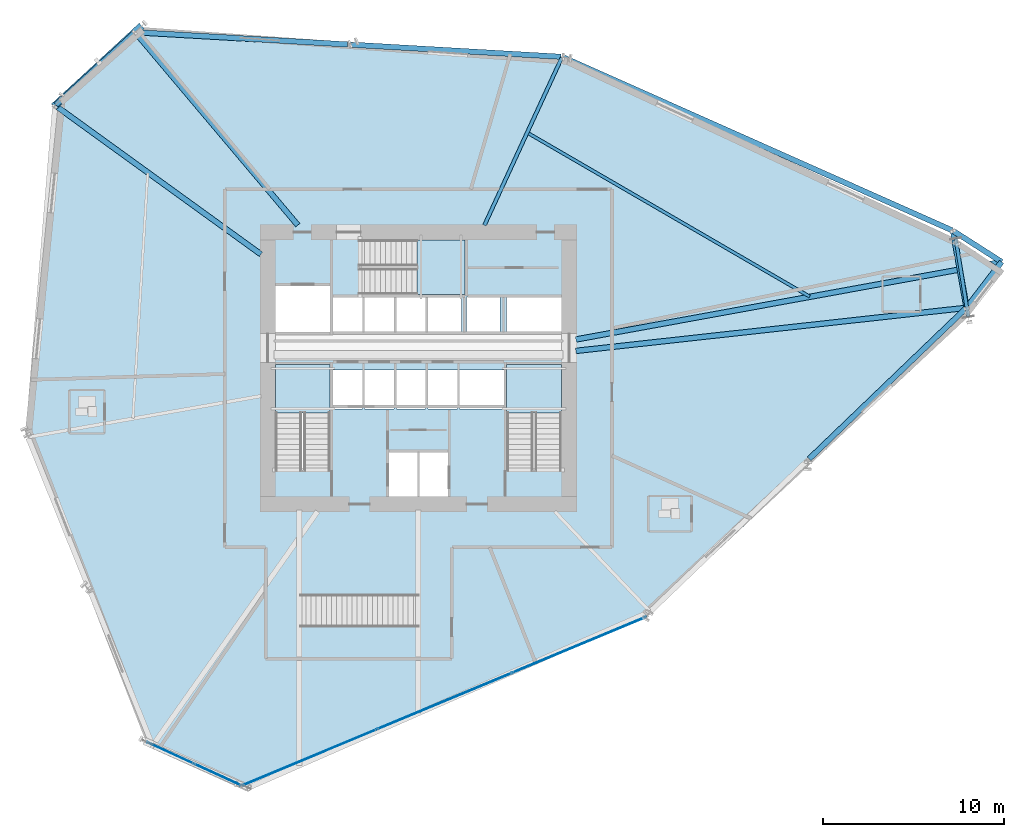
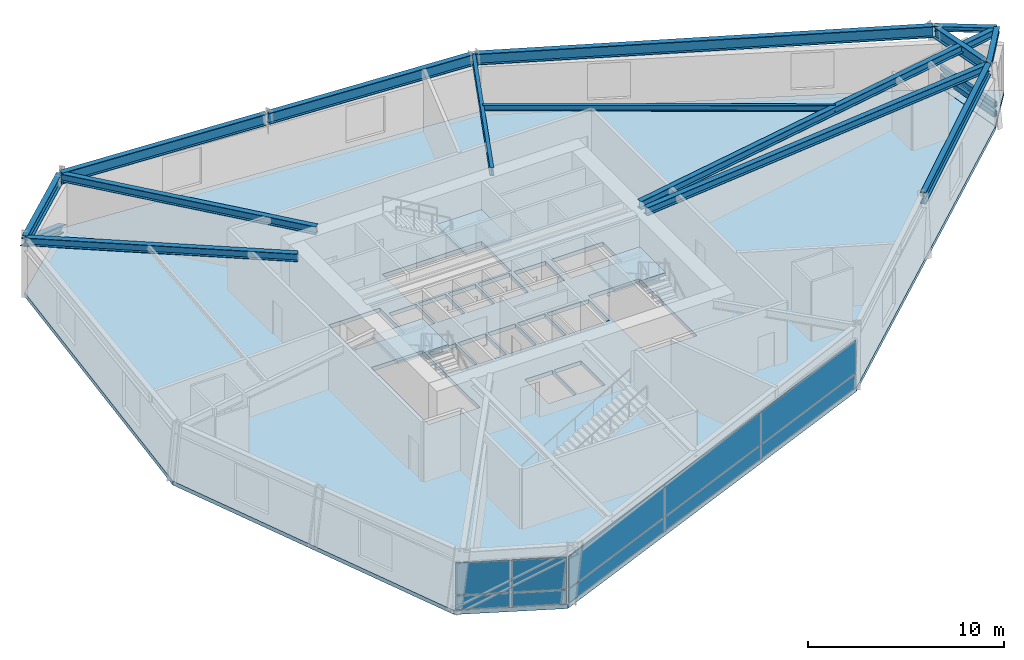
# One storey, part 9 of 19: 14 beams, 10 plates, 5 slabs, 3 members, 5 elements without a shape of their own.
"""IFC4 building model written with IfcOpenShell, lengths in metres."""

from ifc_helpers import new_model, si_unit, direction, frame, origin, origin_2d, place, context, subcontext, project, spatial, polyline, rectangle, hollow_rectangle, i_section, outline, extrude, source, transform, mapped, material, layer, layer_set, material_profile, profile_set, type_object, element, aggregate, save


model = new_model("IFC4")

# Units and contexts
model_context = context("Model", 3, precision=1e-05, world=origin(), true_north=direction((0.0, 1.0)))
body_context = subcontext(model_context, "Body", "Model", "MODEL_VIEW")
ifc_project = project(units=[si_unit("LENGTHUNIT", "METRE"), si_unit("AREAUNIT", "SQUARE_METRE"), si_unit("VOLUMEUNIT", "CUBIC_METRE"), si_unit("PLANEANGLEUNIT", "RADIAN"), si_unit("MASSUNIT", "GRAM", prefix="KILO")], contexts=[model_context])

# Site, building, storey
site_placement = place(None, origin())
site = spatial("IfcSite", under=ifc_project, at=site_placement, CompositionType="ELEMENT")
building_placement = place(site_placement, origin())
building = spatial("IfcBuilding", under=site, at=building_placement, Name="Olszyna Solenne Hotel", CompositionType="ELEMENT")
storey_placement = place(building_placement, frame((0.0, 0.0, 71.89990234375)))
storey = spatial("IfcBuildingStorey", under=building, at=storey_placement, Name="L18", CompositionType="ELEMENT", Elevation=71.89990234375)

# Beams
ifc_material_1 = material(Name="Steel S355J2", Category="steel")
ifc_material_profile_1 = material_profile(ifc_material_1, i_section(OverallWidth=0.300048828125, OverallDepth=0.699951171875, WebThickness=0.01708984375, FlangeThickness=0.031982421875, at=origin_2d()), Name="HEB 700", Category="load-bearing")
ifc_profile_set_1 = profile_set([ifc_material_profile_1], Name="Steel S355J2")
beam_type_1 = type_object("IfcBeamType", Name="BM-S1", PredefinedType="BEAM", material=ifc_profile_set_1)
shared_shape_1 = source(origin(), body_context, "Body", "SweptSolid", [
    extrude(i_section(OverallWidth=0.300048828125, OverallDepth=0.699951171875, WebThickness=0.01708984375, FlangeThickness=0.031982421875, at=origin_2d()), origin(), (0.0, 0.0, 1.0), 4.204833984375),
])
beam_1_placement = place(storey_placement, frame((68.284912109375, 30.001953125, 3.400146484375), z_axis=(-0.17453052662, 0.984651763456, 0.0), x_axis=(-0.984651763456, -0.17453052662, 0.0)))
element("IfcBeam", 1, at=beam_1_placement, inside=storey, type_object=beam_type_1, Name="Perimeter spandrel beam BM-S1 B-L18-0550", PredefinedType="BEAM", context=body_context, shape_type="MappedRepresentation", body=[
    mapped(shared_shape_1, transform((0.0, 0.0, 0.0), x_axis=(1.0, 0.0, 0.0), y_axis=(0.0, 1.0, 0.0), z_axis=(0.0, 0.0, 1.0), scale=1.0)),
])
shared_shape_2 = source(origin(), body_context, "Body", "SweptSolid", [
    extrude(i_section(OverallWidth=0.300048828125, OverallDepth=0.699951171875, WebThickness=0.01708984375, FlangeThickness=0.031982421875, at=origin_2d()), origin(), (0.0, 0.0, 1.0), 23.519287109375),
])
beam_2_placement = place(storey_placement, frame((67.485595703125, 34.225830078125, 3.400146484375), z_axis=(-0.913610677784, 0.40659012462, 0.0), x_axis=(-0.40659012462, -0.913610677784, 0.0)))
element("IfcBeam", 2, at=beam_2_placement, inside=storey, type_object=beam_type_1, Name="Perimeter spandrel beam BM-S1 B-L18-0551", PredefinedType="BEAM", context=body_context, shape_type="MappedRepresentation", body=[
    mapped(shared_shape_2, transform((0.0, 0.0, 0.0), x_axis=(1.0, 0.0, 0.0), y_axis=(0.0, 1.0, 0.0), z_axis=(0.0, 0.0, 1.0), scale=1.0)),
])
shared_shape_3 = source(origin(), body_context, "Body", "SweptSolid", [
    extrude(i_section(OverallWidth=0.300048828125, OverallDepth=0.699951171875, WebThickness=0.01708984375, FlangeThickness=0.031982421875, at=origin_2d()), origin(), (0.0, 0.0, 1.0), 11.699951171875),
])
for number, where, z_axis, x_axis, name in (
    (3, (45.88330078125, 43.81640625, 3.400146484375), (-0.998340149339, 0.05759293548, 0.0), (-0.05759293548, -0.998340149339, 0.0), "Perimeter spandrel beam BM-S1 B-L18-0552"),
    (4, (34.083251953125, 44.497314453125, 3.400146484375), (-0.998340149339, 0.05759293548, 0.0), (-0.05759293548, -0.998340149339, 0.0), "Perimeter spandrel beam BM-S1 B-L18-0553"),
):
    element("IfcBeam", number, at=place(storey_placement, frame(where, z_axis=z_axis, x_axis=x_axis)), inside=storey, type_object=beam_type_1, Name=name, PredefinedType="BEAM", context=body_context, shape_type="MappedRepresentation", body=[
        mapped(shared_shape_3, transform((0.0, 0.0, 0.0), x_axis=(1.0, 0.0, 0.0), y_axis=(0.0, 1.0, 0.0), z_axis=(0.0, 0.0, 1.0), scale=1.0)),
    ])
shared_shape_4 = source(origin(), body_context, "Body", "SweptSolid", [
    extrude(i_section(OverallWidth=0.300048828125, OverallDepth=0.699951171875, WebThickness=0.01708984375, FlangeThickness=0.031982421875, at=origin_2d()), origin(), (0.0, 0.0, 1.0), 5.874267578125),
])
beam_3_placement = place(storey_placement, frame((22.298828125, 45.134033203125, 3.400146484375), z_axis=(-0.737252467541, -0.675617346657, 0.0), x_axis=(0.675617346657, -0.737252467541, 0.0)))
element("IfcBeam", 5, at=beam_3_placement, inside=storey, type_object=beam_type_1, Name="Perimeter spandrel beam BM-S1 B-L18-0554", PredefinedType="BEAM", context=body_context, shape_type="MappedRepresentation", body=[
    mapped(shared_shape_4, transform((0.0, 0.0, 0.0), x_axis=(1.0, 0.0, 0.0), y_axis=(0.0, 1.0, 0.0), z_axis=(0.0, 0.0, 1.0), scale=1.0)),
])
shared_shape_5 = source(origin(), body_context, "Body", "SweptSolid", [
    extrude(i_section(OverallWidth=0.300048828125, OverallDepth=0.699951171875, WebThickness=0.01708984375, FlangeThickness=0.031982421875, at=origin_2d()), origin(), (0.0, 0.0, 1.0), 12.005126953125),
])
beam_4_placement = place(storey_placement, frame((59.59130859375, 21.58740234375, 3.400146484375), z_axis=(0.721408046409, 0.692510238608, 0.0), x_axis=(-0.692510238608, 0.721408046409, 0.0)))
element("IfcBeam", 6, at=beam_4_placement, inside=storey, type_object=beam_type_1, Name="Perimeter spandrel beam BM-S1 B-L18-0561", PredefinedType="BEAM", context=body_context, shape_type="MappedRepresentation", body=[
    mapped(shared_shape_5, transform((0.0, 0.0, 0.0), x_axis=(1.0, 0.0, 0.0), y_axis=(0.0, 1.0, 0.0), z_axis=(0.0, 0.0, 1.0), scale=1.0)),
])
ifc_material_profile_2 = material_profile(ifc_material_1, i_section(OverallWidth=0.300048828125, OverallDepth=0.489990234375, WebThickness=0.011962890625, FlangeThickness=0.02294921875, at=origin_2d()), Name="HEA 500", Category="load-bearing")
ifc_profile_set_2 = profile_set([ifc_material_profile_2], Name="Steel S355J2")
beam_type_2 = type_object("IfcBeamType", Name="BM-G1", PredefinedType="BEAM", material=ifc_profile_set_2)
shared_shape_6 = source(origin(), body_context, "Body", "SweptSolid", [
    extrude(i_section(OverallWidth=0.300048828125, OverallDepth=0.489990234375, WebThickness=0.011962890625, FlangeThickness=0.02294921875, at=origin_2d()), origin(), (0.0, 0.0, 1.0), 21.666015625),
])
beam_5_placement = place(storey_placement, frame((68.235595703125, 29.936279296875, 3.505126953125), z_axis=(-0.993967546631, -0.109674592517, 0.0), x_axis=(0.109674592517, -0.993967546631, 0.0)))
element("IfcBeam", 7, at=beam_5_placement, inside=storey, type_object=beam_type_2, Name="Radial floor girder BM-G1 B-L18-0562", PredefinedType="BEAM", context=body_context, shape_type="MappedRepresentation", body=[
    mapped(shared_shape_6, transform((0.0, 0.0, 0.0), x_axis=(1.0, 0.0, 0.0), y_axis=(0.0, 1.0, 0.0), z_axis=(0.0, 0.0, 1.0), scale=1.0)),
])
shared_shape_7 = source(origin(), body_context, "Body", "SweptSolid", [
    extrude(i_section(OverallWidth=0.300048828125, OverallDepth=0.489990234375, WebThickness=0.011962890625, FlangeThickness=0.02294921875, at=origin_2d()), origin(), (0.0, 0.0, 1.0), 23.899169921875),
])
beam_6_placement = place(storey_placement, frame((70.212158203125, 32.478759765625, 3.505126953125), z_axis=(-0.983777431429, -0.179393325995, 0.0), x_axis=(0.179393325995, -0.983777431429, 0.0)))
element("IfcBeam", 8, at=beam_6_placement, inside=storey, type_object=beam_type_2, Name="Radial floor girder BM-G1 B-L18-0563", PredefinedType="BEAM", context=body_context, shape_type="MappedRepresentation", body=[
    mapped(shared_shape_7, transform((0.0, 0.0, 0.0), x_axis=(1.0, 0.0, 0.0), y_axis=(0.0, 1.0, 0.0), z_axis=(0.0, 0.0, 1.0), scale=1.0)),
])
ifc_material_profile_3 = material_profile(ifc_material_1, i_section(OverallWidth=0.199951171875, OverallDepth=0.5, WebThickness=0.01025390625, FlangeThickness=0.01611328125, at=origin_2d()), Name="IPE 500", Category="load-bearing")
ifc_profile_set_3 = profile_set([ifc_material_profile_3], Name="Steel S355J2")
beam_type_3 = type_object("IfcBeamType", Name="BM-F3", PredefinedType="BEAM", material=ifc_profile_set_3)
shared_shape_8 = source(origin(), body_context, "Body", "SweptSolid", [
    extrude(i_section(OverallWidth=0.199951171875, OverallDepth=0.5, WebThickness=0.01025390625, FlangeThickness=0.01611328125, at=origin_2d()), origin(), (0.0, 0.0, 1.0), 10.191650390625),
])
beam_7_placement = place(storey_placement, frame((45.918212890625, 43.75830078125, 3.5), z_axis=(-0.419024756721, -0.907974808712, 0.0), x_axis=(0.907974808712, -0.419024756721, 0.0)))
element("IfcBeam", 9, at=beam_7_placement, inside=storey, type_object=beam_type_3, Name="Radial floor girder BM-F3 B-L18-0564", PredefinedType="BEAM", context=body_context, shape_type="MappedRepresentation", body=[
    mapped(shared_shape_8, transform((0.0, 0.0, 0.0), x_axis=(1.0, 0.0, 0.0), y_axis=(0.0, 1.0, 0.0), z_axis=(0.0, 0.0, 1.0), scale=1.0)),
])
shared_shape_9 = source(origin(), body_context, "Body", "SweptSolid", [
    extrude(i_section(OverallWidth=0.300048828125, OverallDepth=0.489990234375, WebThickness=0.011962890625, FlangeThickness=0.02294921875, at=origin_2d()), origin(), (0.0, 0.0, 1.0), 13.8857421875),
])
beam_8_placement = place(storey_placement, frame((22.381591796875, 45.128662109375, 3.505126953125), z_axis=(0.644509795765, -0.76459605228, 0.0), x_axis=(0.76459605228, 0.644509795765, 0.0)))
element("IfcBeam", 10, at=beam_8_placement, inside=storey, type_object=beam_type_2, Name="Radial floor girder BM-G1 B-L18-0565", PredefinedType="BEAM", context=body_context, shape_type="MappedRepresentation", body=[
    mapped(shared_shape_9, transform((0.0, 0.0, 0.0), x_axis=(1.0, 0.0, 0.0), y_axis=(0.0, 1.0, 0.0), z_axis=(0.0, 0.0, 1.0), scale=1.0)),
])
shared_shape_10 = source(origin(), body_context, "Body", "SweptSolid", [
    extrude(i_section(OverallWidth=0.300048828125, OverallDepth=0.489990234375, WebThickness=0.011962890625, FlangeThickness=0.02294921875, at=origin_2d()), origin(), (0.0, 0.0, 1.0), 13.9697265625),
])
beam_9_placement = place(storey_placement, frame((17.972412109375, 41.089599609375, 3.505126953125), z_axis=(0.810193684252, -0.586162259104, 0.0), x_axis=(0.586162259104, 0.810193684252, 0.0)))
element("IfcBeam", 11, at=beam_9_placement, inside=storey, type_object=beam_type_2, Name="Radial floor girder BM-G1 B-L18-0566", PredefinedType="BEAM", context=body_context, shape_type="MappedRepresentation", body=[
    mapped(shared_shape_10, transform((0.0, 0.0, 0.0), x_axis=(1.0, 0.0, 0.0), y_axis=(0.0, 1.0, 0.0), z_axis=(0.0, 0.0, 1.0), scale=1.0)),
])
ifc_material_profile_4 = material_profile(ifc_material_1, i_section(OverallWidth=0.300048828125, OverallDepth=0.31005859375, WebThickness=0.009033203125, FlangeThickness=0.015380859375, at=origin_2d()), Name="HEA 320", Category="load-bearing")
ifc_profile_set_4 = profile_set([ifc_material_profile_4], Name="Steel S355J2")
beam_type_4 = type_object("IfcBeamType", Name="BM-G3", PredefinedType="BEAM", material=ifc_profile_set_4)
shared_shape_11 = source(origin(), body_context, "Body", "SweptSolid", [
    extrude(i_section(OverallWidth=0.300048828125, OverallDepth=0.31005859375, WebThickness=0.009033203125, FlangeThickness=0.015380859375, at=origin_2d()), origin(), (0.0, 0.0, 1.0), 3.193603515625),
])
beam_10_placement = place(storey_placement, frame((68.29541015625, 29.94287109375, 3.59521484375), z_axis=(0.606317277032, 0.795222836425, 0.0), x_axis=(-0.795222836425, 0.606317277032, 0.0)))
element("IfcBeam", 12, at=beam_10_placement, inside=storey, type_object=beam_type_4, Name="Prism side edge beam BM-G3 B-L18-0570", PredefinedType="BEAM", context=body_context, shape_type="MappedRepresentation", body=[
    mapped(shared_shape_11, transform((0.0, 0.0, 0.0), x_axis=(1.0, 0.0, 0.0), y_axis=(0.0, 1.0, 0.0), z_axis=(0.0, 0.0, 1.0), scale=1.0)),
])
shared_shape_12 = source(origin(), body_context, "Body", "SweptSolid", [
    extrude(i_section(OverallWidth=0.300048828125, OverallDepth=0.31005859375, WebThickness=0.009033203125, FlangeThickness=0.015380859375, at=origin_2d()), origin(), (0.0, 0.0, 1.0), 3.193359375),
])
beam_11_placement = place(storey_placement, frame((67.54052734375, 34.201416015625, 3.59521484375), z_axis=(0.842747322794, -0.53830934408, 0.0), x_axis=(0.53830934408, 0.842747322794, 0.0)))
element("IfcBeam", 13, at=beam_11_placement, inside=storey, type_object=beam_type_4, Name="Prism side edge beam BM-G3 B-L18-0571", PredefinedType="BEAM", context=body_context, shape_type="MappedRepresentation", body=[
    mapped(shared_shape_12, transform((0.0, 0.0, 0.0), x_axis=(1.0, 0.0, 0.0), y_axis=(0.0, 1.0, 0.0), z_axis=(0.0, 0.0, 1.0), scale=1.0)),
])
ifc_material_profile_5 = material_profile(ifc_material_1, i_section(OverallWidth=0.169921875, OverallDepth=0.360107421875, WebThickness=0.008056640625, FlangeThickness=0.0126953125, at=origin_2d()), Name="IPE 360", Category="load-bearing")
ifc_profile_set_5 = profile_set([ifc_material_profile_5], Name="Steel S355J2")
beam_type_5 = type_object("IfcBeamType", Name="JS-01", PredefinedType="JOIST", material=ifc_profile_set_5)
shared_shape_13 = source(origin(), body_context, "Body", "SweptSolid", [
    extrude(i_section(OverallWidth=0.169921875, OverallDepth=0.360107421875, WebThickness=0.008056640625, FlangeThickness=0.0126953125, at=origin_2d()), origin(), (0.0, 0.0, 1.0), 18.03466796875),
])
beam_12_placement = place(storey_placement, frame((59.62548828125, 30.561279296875, 3.570068359375), z_axis=(-0.864882038599, 0.50197515806, 0.0), x_axis=(-0.50197515806, -0.864882038599, 0.0)))
element("IfcBeam", 14, at=beam_12_placement, inside=storey, type_object=beam_type_5, Name="Secondary composite floor joist JS-01 B-L18-0574", PredefinedType="JOIST", context=body_context, shape_type="MappedRepresentation", body=[
    mapped(shared_shape_13, transform((0.0, 0.0, 0.0), x_axis=(1.0, 0.0, 0.0), y_axis=(0.0, 1.0, 0.0), z_axis=(0.0, 0.0, 1.0), scale=1.0)),
])

# Members
ifc_material_profile_6 = material_profile(ifc_material_1, hollow_rectangle(XDim=0.199951171875, YDim=0.300048828125, WallThickness=0.01611328125, at=origin_2d()), Name="RHS 300x200x16", Category="load-bearing")
ifc_profile_set_6 = profile_set([ifc_material_profile_6], Name="Steel S355J2")
member_type_1 = type_object("IfcMemberType", Name="CH-PR1", PredefinedType="CHORD", material=ifc_profile_set_6)
shared_shape_14 = source(origin(), body_context, "Body", "SweptSolid", [
    extrude(hollow_rectangle(XDim=0.199951171875, YDim=0.300048828125, WallThickness=0.01611328125, at=origin_2d()), origin(), (0.0, 0.0, 1.0), 4.363037109375),
])
for number, where, z_axis, x_axis, name in (
    (15, (68.390625, 29.455078125, 1.35009765625), (-0.1590248447, 0.987274581243, 0.0), (-0.987274581243, -0.1590248447, 0.0), "Glass-prism tie chord CH-PR1 M-L18-PR1"),
    (16, (68.390625, 29.455078125, 0.780029296875), (-0.1590248447, 0.987274581243, 0.0), (-0.987274581243, -0.1590248447, 0.0), "Glass-prism tie chord CH-PR1 M-L18-PR2"),
):
    element("IfcMember", number, at=place(storey_placement, frame(where, z_axis=z_axis, x_axis=x_axis)), inside=storey, type_object=member_type_1, Name=name, PredefinedType="CHORD", context=body_context, shape_type="MappedRepresentation", body=[
        mapped(shared_shape_14, transform((0.0, 0.0, 0.0), x_axis=(1.0, 0.0, 0.0), y_axis=(0.0, 1.0, 0.0), z_axis=(0.0, 0.0, 1.0), scale=1.0)),
    ])
ifc_material_2 = material(Name="Steel S460M", Category="steel")
ifc_material_profile_7 = material_profile(ifc_material_2, i_section(OverallWidth=0.412109375, OverallDepth=0.43505859375, WebThickness=0.031494140625, FlangeThickness=0.050048828125, at=origin_2d()), Name="HD 400x463", Category="load-bearing")
ifc_profile_set_7 = profile_set([ifc_material_profile_7], Name="Steel S460M")
member_type_2 = type_object("IfcMemberType", Name="BR-T1", PredefinedType="BRACE", material=ifc_profile_set_7)
shared_shape_15 = source(origin(), body_context, "Body", "SweptSolid", [
    extrude(i_section(OverallWidth=0.412109375, OverallDepth=0.43505859375, WebThickness=0.031494140625, FlangeThickness=0.050048828125, at=origin_2d()), origin(), (0.0, 0.0, 1.0), 7.223876953125),
])
member_placement = place(storey_placement, frame((22.631591796875, 45.456298828125, 0.010009765625), z_axis=(-0.65173431702, -0.599619905236, 0.464433363643), x_axis=(0.677071411905, -0.735917320887, 0.0)))
element("IfcMember", 17, at=member_placement, inside=storey, type_object=member_type_2, Name="Perimeter braced-tube diagonal BR-T1 BR-L18-2", PredefinedType="BRACE", context=body_context, shape_type="MappedRepresentation", body=[
    mapped(shared_shape_15, transform((0.0, 0.0, 0.0), x_axis=(1.0, 0.0, 0.0), y_axis=(0.0, 1.0, 0.0), z_axis=(0.0, 0.0, 1.0), scale=1.0)),
])

# Stair, slab
ifc_material_3 = material(Name="Concrete C40/50", Category="concrete")
stair_type = type_object("IfcStairType", Name="STR-C1", PredefinedType="TWO_QUARTER_WINDING_STAIR", material=ifc_material_3)
stair_1_placement = place(storey_placement, origin())
stair_1 = element("IfcStair", 18, at=stair_1_placement, inside=storey, type_object=stair_type, Name="L18 ST1", PredefinedType="TWO_QUARTER_WINDING_STAIR")
ifc_layer_1 = layer(ifc_material_3, 0.18994140625, Name="Concrete C40/50")
ifc_layer_set_1 = layer_set([ifc_layer_1], Name="Concrete C40/50")
slab_type_1 = type_object("IfcSlabType", Name="SL-LN190", PredefinedType="LANDING", material=ifc_layer_set_1)
slab_1_placement = place(storey_placement, frame((0.0, 0.0, 1.800048828125)))
slab_1 = element("IfcSlab", 19, at=slab_1_placement, type_object=slab_type_1, Name="ST1 landing 1", PredefinedType="LANDING", context=body_context, shape_type="SweptSolid", body=[
    extrude(outline(polyline([(33.1201171875, 24.139892578125), (33.1201171875, 26.800048828125), (30.10009765625, 26.800048828125), (30.10009765625, 24.139892578125), (33.1201171875, 24.139892578125)])), origin(), (0.0, 0.0, 1.0), 0.199951171875),
])
aggregate(stair_1, [slab_1])

stair_2_placement = place(storey_placement, origin())
stair_2 = element("IfcStair", 20, at=stair_2_placement, inside=storey, type_object=stair_type, Name="L18 ST2", PredefinedType="TWO_QUARTER_WINDING_STAIR")
slab_2_placement = place(storey_placement, frame((0.0, 0.0, 1.800048828125)))
slab_2 = element("IfcSlab", 21, at=slab_2_placement, type_object=slab_type_1, Name="ST2 landing 1", PredefinedType="LANDING", context=body_context, shape_type="SweptSolid", body=[
    extrude(outline(polyline([(45.89990234375, 24.139892578125), (45.89990234375, 26.800048828125), (42.8798828125, 26.800048828125), (42.8798828125, 24.139892578125), (45.89990234375, 24.139892578125)])), origin(), (0.0, 0.0, 1.0), 0.199951171875),
])
aggregate(stair_2, [slab_2])

stair_3_placement = place(storey_placement, origin())
stair_3 = element("IfcStair", 22, at=stair_3_placement, inside=storey, type_object=stair_type, Name="L18 ST3", PredefinedType="TWO_QUARTER_WINDING_STAIR")
slab_3_placement = place(storey_placement, frame((0.0, 0.0, 1.800048828125)))
slab_3 = element("IfcSlab", 23, at=slab_3_placement, type_object=slab_type_1, Name="ST3 landing 1", PredefinedType="LANDING", context=body_context, shape_type="SweptSolid", body=[
    extrude(outline(polyline([(37.919921875, 30.679931640625), (40.580078125, 30.679931640625), (40.580078125, 33.699951171875), (37.919921875, 33.699951171875), (37.919921875, 30.679931640625)])), origin(), (0.0, 0.0, 1.0), 0.199951171875),
])
aggregate(stair_3, [slab_3])

# Slabs
ifc_material_4 = material(Name="Concrete C50/60", Category="concrete")
ifc_layer_2 = layer(ifc_material_4, 0.25, Name="Concrete C50/60")
ifc_layer_set_2 = layer_set([ifc_layer_2], Name="Concrete C50/60")
slab_type_2 = type_object("IfcSlabType", Name="SL-TW250", PredefinedType="FLOOR", material=ifc_layer_set_2)
slab_4_placement = place(storey_placement, frame((0.0, 0.0, -0.25)))
element("IfcSlab", 24, at=slab_4_placement, inside=storey, type_object=slab_type_2, Name="Floor slab SL-TW250 SL-L18-01", PredefinedType="FLOOR", context=body_context, shape_type="SweptSolid", body=[
    extrude(outline(polyline([(68.390625, 29.455078125), (67.69677734375, 33.7626953125), (46.242919921875, 43.76708984375), (22.631591796875, 45.456298828125), (18.109619140625, 41.441162109375), (16.268798828125, 23.12109375), (22.939453125, 5.959228515625), (28.231689453125, 3.525146484375), (50.64111328125, 12.8818359375), (68.390625, 29.455078125)]), holes=[polyline([(30.10009765625, 20.949951171875), (33.1201171875, 20.949951171875), (33.1201171875, 26.800048828125), (30.10009765625, 26.800048828125), (30.10009765625, 20.949951171875)]), polyline([(42.8798828125, 20.949951171875), (45.89990234375, 20.949951171875), (45.89990234375, 26.800048828125), (42.8798828125, 26.800048828125), (42.8798828125, 20.949951171875)]), polyline([(34.72998046875, 30.679931640625), (40.580078125, 30.679931640625), (40.580078125, 33.699951171875), (34.72998046875, 33.699951171875), (34.72998046875, 30.679931640625)]), polyline([(36.340087890625, 19.5), (37.9599609375, 19.5), (37.9599609375, 21.9599609375), (36.340087890625, 21.9599609375), (36.340087890625, 19.5)]), polyline([(38.0400390625, 19.5), (39.659912109375, 19.5), (39.659912109375, 21.9599609375), (38.0400390625, 21.9599609375), (38.0400390625, 19.5)]), polyline([(30.10009765625, 28.60009765625), (33.1201171875, 28.60009765625), (33.1201171875, 31.159912109375), (30.10009765625, 31.159912109375), (30.10009765625, 28.60009765625)]), polyline([(33.280029296875, 24.360107421875), (34.89990234375, 24.360107421875), (34.89990234375, 26.5), (33.280029296875, 26.5), (33.280029296875, 24.360107421875)]), polyline([(35.030029296875, 24.360107421875), (36.64990234375, 24.360107421875), (36.64990234375, 26.5), (35.030029296875, 26.5), (35.030029296875, 24.360107421875)]), polyline([(36.780029296875, 24.360107421875), (38.39990234375, 24.360107421875), (38.39990234375, 26.5), (36.780029296875, 26.5), (36.780029296875, 24.360107421875)]), polyline([(38.530029296875, 24.360107421875), (40.14990234375, 24.360107421875), (40.14990234375, 26.5), (38.530029296875, 26.5), (38.530029296875, 24.360107421875)]), polyline([(40.280029296875, 24.360107421875), (42.719970703125, 24.360107421875), (42.719970703125, 26.5), (40.280029296875, 26.5), (40.280029296875, 24.360107421875)]), polyline([(33.280029296875, 28.60009765625), (34.89990234375, 28.60009765625), (34.89990234375, 30.550048828125), (33.280029296875, 30.550048828125), (33.280029296875, 28.60009765625)]), polyline([(35.030029296875, 28.60009765625), (36.64990234375, 28.60009765625), (36.64990234375, 30.550048828125), (35.030029296875, 30.550048828125), (35.030029296875, 28.60009765625)]), polyline([(36.780029296875, 28.60009765625), (38.39990234375, 28.60009765625), (38.39990234375, 30.550048828125), (36.780029296875, 30.550048828125), (36.780029296875, 28.60009765625)]), polyline([(38.530029296875, 28.60009765625), (40.389892578125, 28.60009765625), (40.389892578125, 30.550048828125), (38.530029296875, 30.550048828125), (38.530029296875, 28.60009765625)]), polyline([(40.659912109375, 28.60009765625), (42.52001953125, 28.60009765625), (42.52001953125, 30.550048828125), (40.659912109375, 30.550048828125), (40.659912109375, 28.60009765625)]), polyline([(42.8798828125, 28.60009765625), (45.89990234375, 28.60009765625), (45.89990234375, 30.550048828125), (42.8798828125, 30.550048828125), (42.8798828125, 28.60009765625)])]), origin(), (0.0, 0.0, 1.0), 0.25),
])
slab_5_placement = place(storey_placement, frame((0.0, 0.0, -0.25)))
element("IfcSlab", 25, at=slab_5_placement, inside=storey, type_object=slab_type_2, Name="Faceted glass-prism floor slab SL-L18-PR", PredefinedType="FLOOR", context=body_context, shape_type="SweptSolid", body=[
    extrude(outline(polyline([(67.7080078125, 33.755126953125), (68.399169921875, 29.4658203125), (70.36376953125, 31.982666015625), (67.7080078125, 33.755126953125)])), origin(), (0.0, 0.0, 1.0), 0.25),
])

# Curtain wall, plates
ifc_material_5 = material(Name="Anodised bronze aluminium", Category="aluminium")
curtain_wall_type = type_object("IfcCurtainWallType", Name="CW-SYS-6", PredefinedType="NOTDEFINED", material=ifc_material_5)
curtain_wall_1_placement = place(storey_placement, origin())
curtain_wall_1 = element("IfcCurtainWall", 26, at=curtain_wall_1_placement, inside=storey, type_object=curtain_wall_type, Name="Unitised curtain wall CW-SYS-6 CW-L18-01", PredefinedType="NOTDEFINED")
ifc_material_6 = material(Name="Terracotta cladding", Category="masonry")
plate_type_1 = type_object("IfcPlateType", Name="PN-SP1", PredefinedType="CURTAIN_PANEL", material=ifc_material_6)
shared_shape_16 = source(origin(), body_context, "Body", "SweptSolid", [
    extrude(rectangle(XDim=7.974853515625, YDim=0.048095703125, at=origin_2d()), origin(), (0.0, 0.0, 1.0), 0.83740234375),
])
plate_1_placement = place(storey_placement, frame((31.985107421875, 5.09228515625, 0.0751953125), z_axis=(0.0, 0.0, 1.0), x_axis=(0.922793170547, 0.385295684368, 0.0)))
plate_1 = element("IfcPlate", 27, at=plate_1_placement, type_object=plate_type_1, Name="Curtain-wall panel PN-SP1 CP-L18-01-01", PredefinedType="CURTAIN_PANEL", context=body_context, shape_type="MappedRepresentation", body=[
    mapped(shared_shape_16, transform((0.0, 0.0, 0.0), x_axis=(1.0, 0.0, 0.0), y_axis=(0.0, 1.0, 0.0), z_axis=(0.0, 0.0, 1.0), scale=1.0)),
])
plate_2_placement = place(storey_placement, frame((46.8876953125, 11.314697265625, 0.0751953125), z_axis=(0.0, 0.0, 1.0), x_axis=(0.922793170547, 0.385295684368, 0.0)))
plate_2 = element("IfcPlate", 28, at=plate_2_placement, type_object=plate_type_1, Name="Curtain-wall panel PN-SP1 CP-L18-01-05", PredefinedType="CURTAIN_PANEL", context=body_context, shape_type="MappedRepresentation", body=[
    mapped(shared_shape_16, transform((0.0, 0.0, 0.0), x_axis=(1.0, 0.0, 0.0), y_axis=(0.0, 1.0, 0.0), z_axis=(0.0, 0.0, 1.0), scale=1.0)),
])
ifc_material_7 = material(Name="Low-E triple glazing", Category="glass")
plate_type_2 = type_object("IfcPlateType", Name="PN-GL2", PredefinedType="CURTAIN_PANEL", material=ifc_material_7)
shared_shape_17 = source(origin(), body_context, "Body", "SweptSolid", [
    extrude(rectangle(XDim=7.974853515625, YDim=0.048095703125, at=origin_2d()), origin(), (0.0, 0.0, 1.0), 1.9794921875),
])
plate_3_placement = place(storey_placement, frame((31.985107421875, 5.09228515625, 0.987548828125), z_axis=(0.0, 0.0, 1.0), x_axis=(0.922793170547, 0.385295684368, 0.0)))
plate_3 = element("IfcPlate", 29, at=plate_3_placement, type_object=plate_type_2, Name="Curtain-wall panel PN-GL2 CP-L18-01-02", PredefinedType="CURTAIN_PANEL", context=body_context, shape_type="MappedRepresentation", body=[
    mapped(shared_shape_17, transform((0.0, 0.0, 0.0), x_axis=(1.0, 0.0, 0.0), y_axis=(0.0, 1.0, 0.0), z_axis=(0.0, 0.0, 1.0), scale=1.0)),
])
plate_4_placement = place(storey_placement, frame((46.8876953125, 11.314697265625, 0.987548828125), z_axis=(0.0, 0.0, 1.0), x_axis=(0.922793170547, 0.385295684368, 0.0)))
plate_4 = element("IfcPlate", 30, at=plate_4_placement, type_object=plate_type_2, Name="Curtain-wall panel PN-GL2 CP-L18-01-06", PredefinedType="CURTAIN_PANEL", context=body_context, shape_type="MappedRepresentation", body=[
    mapped(shared_shape_17, transform((0.0, 0.0, 0.0), x_axis=(1.0, 0.0, 0.0), y_axis=(0.0, 1.0, 0.0), z_axis=(0.0, 0.0, 1.0), scale=1.0)),
])
shared_shape_18 = source(origin(), body_context, "Body", "SweptSolid", [
    extrude(rectangle(XDim=8.0146484375, YDim=0.048095703125, at=origin_2d()), origin(), (0.0, 0.0, 1.0), 0.83740234375),
])
plate_5_placement = place(storey_placement, frame((39.4365234375, 8.20361328125, 0.0751953125), z_axis=(0.0, 0.0, 1.0), x_axis=(0.922793170547, 0.385295684368, 0.0)))
plate_5 = element("IfcPlate", 31, at=plate_5_placement, type_object=plate_type_1, Name="Curtain-wall panel PN-SP1 CP-L18-01-03", PredefinedType="CURTAIN_PANEL", context=body_context, shape_type="MappedRepresentation", body=[
    mapped(shared_shape_18, transform((0.0, 0.0, 0.0), x_axis=(1.0, 0.0, 0.0), y_axis=(0.0, 1.0, 0.0), z_axis=(0.0, 0.0, 1.0), scale=1.0)),
])
shared_shape_19 = source(origin(), body_context, "Body", "SweptSolid", [
    extrude(rectangle(XDim=8.0146484375, YDim=0.048095703125, at=origin_2d()), origin(), (0.0, 0.0, 1.0), 1.9794921875),
])
plate_6_placement = place(storey_placement, frame((39.4365234375, 8.20361328125, 0.987548828125), z_axis=(0.0, 0.0, 1.0), x_axis=(0.922793170547, 0.385295684368, 0.0)))
plate_6 = element("IfcPlate", 32, at=plate_6_placement, type_object=plate_type_2, Name="Curtain-wall panel PN-GL2 CP-L18-01-04", PredefinedType="CURTAIN_PANEL", context=body_context, shape_type="MappedRepresentation", body=[
    mapped(shared_shape_19, transform((0.0, 0.0, 0.0), x_axis=(1.0, 0.0, 0.0), y_axis=(0.0, 1.0, 0.0), z_axis=(0.0, 0.0, 1.0), scale=1.0)),
])
aggregate(curtain_wall_1, [plate_1, plate_3, plate_5, plate_6, plate_2, plate_4])

curtain_wall_2_placement = place(storey_placement, origin())
curtain_wall_2 = element("IfcCurtainWall", 33, at=curtain_wall_2_placement, inside=storey, type_object=curtain_wall_type, Name="Unitised curtain wall CW-SYS-6 CW-L18-02", PredefinedType="NOTDEFINED")
shared_shape_20 = source(origin(), body_context, "Body", "SweptSolid", [
    extrude(rectangle(XDim=2.792724609375, YDim=0.048095703125, at=origin_2d()), origin(), (0.0, 0.0, 1.0), 0.83740234375),
])
plate_7_placement = place(storey_placement, frame((24.28076171875, 5.342529296875, 0.0751953125), z_axis=(0.0, 0.0, 1.0), x_axis=(0.908516781443, -0.417848367039, 0.0)))
plate_7 = element("IfcPlate", 34, at=plate_7_placement, type_object=plate_type_1, Name="Curtain-wall panel PN-SP1 CP-L18-02-01", PredefinedType="CURTAIN_PANEL", context=body_context, shape_type="MappedRepresentation", body=[
    mapped(shared_shape_20, transform((0.0, 0.0, 0.0), x_axis=(1.0, 0.0, 0.0), y_axis=(0.0, 1.0, 0.0), z_axis=(0.0, 0.0, 1.0), scale=1.0)),
])
plate_8_placement = place(storey_placement, frame((26.890625, 4.14208984375, 0.0751953125), z_axis=(0.0, 0.0, 1.0), x_axis=(0.908516781443, -0.417848367039, 0.0)))
plate_8 = element("IfcPlate", 35, at=plate_8_placement, type_object=plate_type_1, Name="Curtain-wall panel PN-SP1 CP-L18-02-03", PredefinedType="CURTAIN_PANEL", context=body_context, shape_type="MappedRepresentation", body=[
    mapped(shared_shape_20, transform((0.0, 0.0, 0.0), x_axis=(1.0, 0.0, 0.0), y_axis=(0.0, 1.0, 0.0), z_axis=(0.0, 0.0, 1.0), scale=1.0)),
])
shared_shape_21 = source(origin(), body_context, "Body", "SweptSolid", [
    extrude(rectangle(XDim=2.792724609375, YDim=0.048095703125, at=origin_2d()), origin(), (0.0, 0.0, 1.0), 1.9794921875),
])
plate_9_placement = place(storey_placement, frame((24.28076171875, 5.342529296875, 0.987548828125), z_axis=(0.0, 0.0, 1.0), x_axis=(0.908516781443, -0.417848367039, 0.0)))
plate_9 = element("IfcPlate", 36, at=plate_9_placement, type_object=plate_type_2, Name="Curtain-wall panel PN-GL2 CP-L18-02-02", PredefinedType="CURTAIN_PANEL", context=body_context, shape_type="MappedRepresentation", body=[
    mapped(shared_shape_21, transform((0.0, 0.0, 0.0), x_axis=(1.0, 0.0, 0.0), y_axis=(0.0, 1.0, 0.0), z_axis=(0.0, 0.0, 1.0), scale=1.0)),
])
plate_10_placement = place(storey_placement, frame((26.890625, 4.14208984375, 0.987548828125), z_axis=(0.0, 0.0, 1.0), x_axis=(0.908516781443, -0.417848367039, 0.0)))
plate_10 = element("IfcPlate", 37, at=plate_10_placement, type_object=plate_type_2, Name="Curtain-wall panel PN-GL2 CP-L18-02-04", PredefinedType="CURTAIN_PANEL", context=body_context, shape_type="MappedRepresentation", body=[
    mapped(shared_shape_21, transform((0.0, 0.0, 0.0), x_axis=(1.0, 0.0, 0.0), y_axis=(0.0, 1.0, 0.0), z_axis=(0.0, 0.0, 1.0), scale=1.0)),
])
aggregate(curtain_wall_2, [plate_7, plate_9, plate_8, plate_10])

save(model, "model.ifc")
